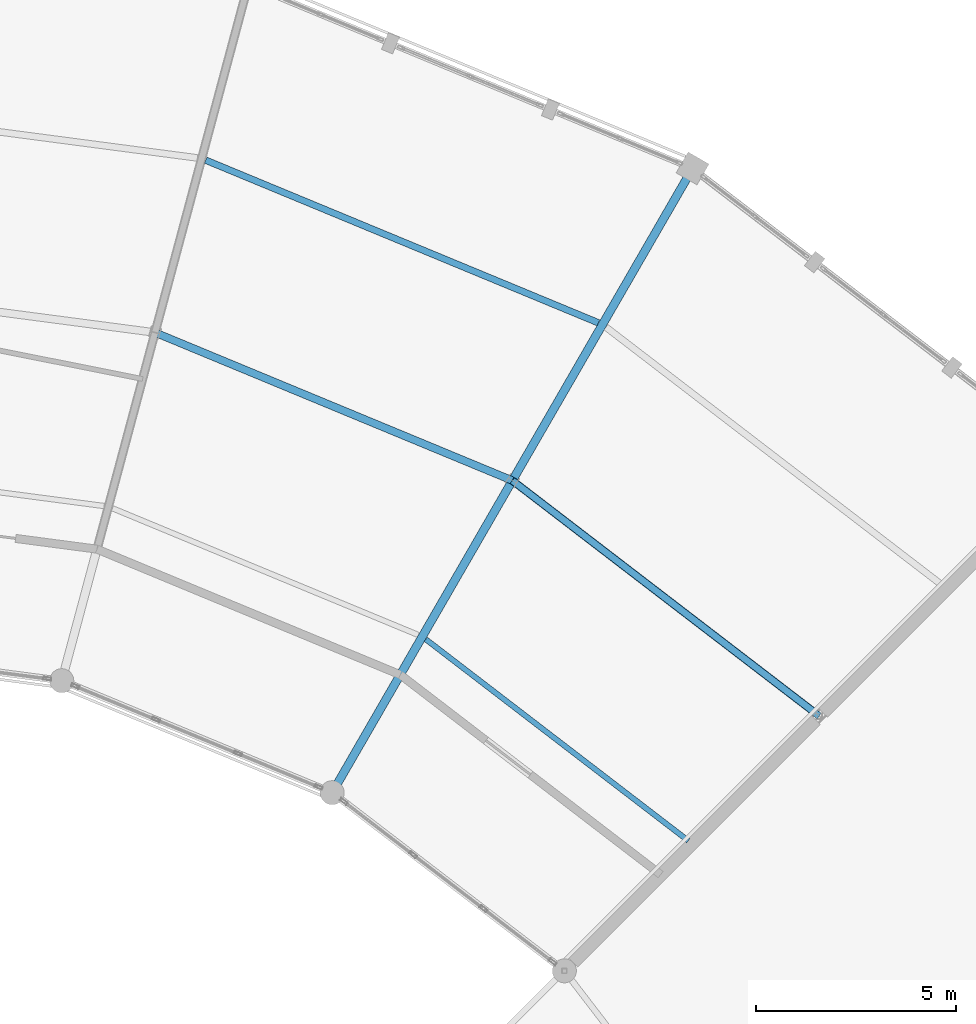
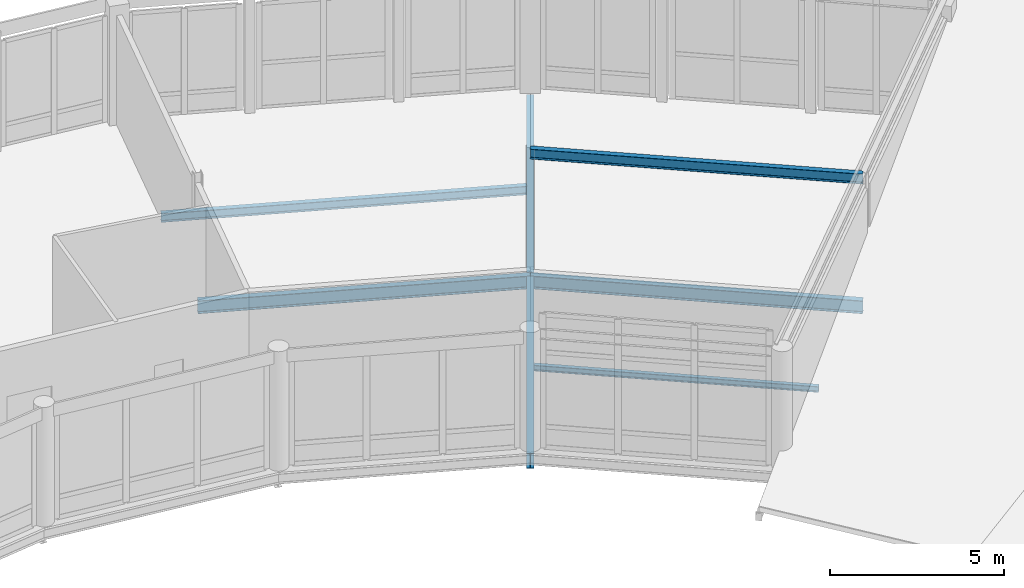
# One storey, part 100 of 200: 7 beams.
"""IFC4 building model written with IfcOpenShell, lengths in metres."""

from ifc_helpers import new_model, si_unit, direction, frame, origin, origin_2d, place, context, subcontext, project, spatial, i_section, extrude, material, material_profile, profile_set, type_object, element, save


model = new_model("IFC4")

# Units and contexts
model_context = context("Model", 3, precision=1e-05, world=origin(), true_north=direction((0.0, 1.0)))
body_context = subcontext(model_context, "Body", "Model", "MODEL_VIEW")
ifc_project = project(units=[si_unit("LENGTHUNIT", "METRE"), si_unit("AREAUNIT", "SQUARE_METRE"), si_unit("VOLUMEUNIT", "CUBIC_METRE"), si_unit("PLANEANGLEUNIT", "RADIAN"), si_unit("MASSUNIT", "GRAM", prefix="KILO")], contexts=[model_context])

# Site, building, storey
site_placement = place(None, origin())
site = spatial("IfcSite", under=ifc_project, at=site_placement, CompositionType="ELEMENT")
building_placement = place(site_placement, origin())
building = spatial("IfcBuilding", under=site, at=building_placement, Name="Vondelvale Polytechnic", CompositionType="ELEMENT")
storey_placement = place(building_placement, frame((0.0, 0.0, 13.800048828125)))
storey = spatial("IfcBuildingStorey", under=building, at=storey_placement, Name="L03", CompositionType="ELEMENT", Elevation=13.800048828125)

# Beams
ifc_material = material(Name="Steel 300PLUS (fy = 300 MPa)", Category="steel")
ifc_material_profile_1 = material_profile(ifc_material, i_section(OverallWidth=0.1708984375, OverallDepth=0.35205078125, WebThickness=0.0068359375, FlangeThickness=0.009765625, FilletRadius=0.011474609375, at=origin_2d()), Name="360UB44.7")
ifc_profile_set_1 = profile_set([ifc_material_profile_1], Name="Steel 300PLUS (fy = 300 MPa)")
beam_type_1 = type_object("IfcBeamType", Name="BM-UB360L", PredefinedType="BEAM", material=ifc_profile_set_1)
beam_1_placement = place(storey_placement, frame((128.1630859375, 98.1630859375, 4.02392578125), z_axis=(-0.793363832402, 0.60874775518, 0.0), x_axis=(-0.60874775518, -0.793363832402, 0.0)))
element("IfcBeam", 1, at=beam_1_placement, inside=storey, type_object=beam_type_1, Name="L03 RE B-24", PredefinedType="BEAM", context=body_context, shape_type="SweptSolid", body=[
    extrude(i_section(OverallWidth=0.1708984375, OverallDepth=0.35205078125, WebThickness=0.0068359375, FlangeThickness=0.009765625, FilletRadius=0.011474609375, at=origin_2d()), origin(), (0.0, 0.0, 1.0), 9.658935546875),
])
ifc_material_profile_2 = material_profile(ifc_material, i_section(OverallWidth=0.18994140625, OverallDepth=0.4541015625, WebThickness=0.008544921875, FlangeThickness=0.0126953125, FilletRadius=0.011474609375, at=origin_2d()), Name="460UB67.1")
ifc_profile_set_2 = profile_set([ifc_material_profile_2], Name="Steel 300PLUS (fy = 300 MPa)")
beam_type_2 = type_object("IfcBeamType", Name="BM-UB460L", PredefinedType="BEAM", material=ifc_profile_set_2)
for number, where, z_axis, x_axis, name in (
    (2, (128.1630859375, 98.1630859375, -0.47705078125), (-0.793363832402, 0.60874775518, 0.0), (-0.60874775518, -0.793363832402, 0.0), "L03 RB B-22"),
    (3, (120.5, 104.04296875, -0.47705078125), (-0.923878816854, 0.38268516011, 0.0), (-0.38268516011, -0.923878816854, 0.0), "L03 RB B-22"),
):
    element("IfcBeam", number, at=place(storey_placement, frame(where, z_axis=z_axis, x_axis=x_axis)), inside=storey, type_object=beam_type_2, Name=name, PredefinedType="BEAM", context=body_context, shape_type="SweptSolid", body=[
        extrude(i_section(OverallWidth=0.18994140625, OverallDepth=0.4541015625, WebThickness=0.008544921875, FlangeThickness=0.0126953125, FilletRadius=0.011474609375, at=origin_2d()), origin(), (0.0, 0.0, 1.0), 9.658935546875),
    ])
ifc_material_profile_3 = material_profile(ifc_material, i_section(OverallWidth=0.208984375, OverallDepth=0.532958984375, WebThickness=0.01025390625, FlangeThickness=0.015625, FilletRadius=0.013916015625, at=origin_2d()), Name="530UB92.4")
ifc_profile_set_3 = profile_set([ifc_material_profile_3], Name="Steel 300PLUS (fy = 300 MPa)")
beam_type_3 = type_object("IfcBeamType", Name="BM-UB530", PredefinedType="BEAM", material=ifc_profile_set_3)
beam_2_placement = place(storey_placement, frame((120.5, 104.04296875, -0.5166015625), z_axis=(0.5000018851, 0.866024315419, 0.0), x_axis=(-0.866024315419, 0.5000018851, 0.0)))
element("IfcBeam", 4, at=beam_2_placement, inside=storey, type_object=beam_type_3, Name="L03 RG B-11", PredefinedType="BEAM", context=body_context, shape_type="SweptSolid", body=[
    extrude(i_section(OverallWidth=0.208984375, OverallDepth=0.532958984375, WebThickness=0.01025390625, FlangeThickness=0.015625, FilletRadius=0.013916015625, at=origin_2d()), origin(), (0.0, 0.0, 1.0), 9.0),
])
ifc_material_profile_4 = material_profile(ifc_material, i_section(OverallWidth=0.208984375, OverallDepth=0.528076171875, WebThickness=0.009521484375, FlangeThickness=0.01318359375, FilletRadius=0.013916015625, at=origin_2d()), Name="530UB82.0")
ifc_profile_set_4 = profile_set([ifc_material_profile_4], Name="Steel 300PLUS (fy = 300 MPa)")
beam_type_4 = type_object("IfcBeamType", Name="BM-UB530L", PredefinedType="BEAM", material=ifc_profile_set_4)
beam_3_placement = place(storey_placement, frame((116.0, 96.248779296875, -0.51416015625), z_axis=(0.5000018851, 0.866024315419, 0.0), x_axis=(-0.866024315419, 0.5000018851, 0.0)))
element("IfcBeam", 5, at=beam_3_placement, inside=storey, type_object=beam_type_4, Name="L03 RG B-21", PredefinedType="BEAM", context=body_context, shape_type="SweptSolid", body=[
    extrude(i_section(OverallWidth=0.208984375, OverallDepth=0.528076171875, WebThickness=0.009521484375, FlangeThickness=0.01318359375, FilletRadius=0.013916015625, at=origin_2d()), origin(), (0.0, 0.0, 1.0), 9.0),
])
ifc_material_profile_5 = material_profile(ifc_material, i_section(OverallWidth=0.133056640625, OverallDepth=0.202880859375, WebThickness=0.005859375, FlangeThickness=0.0078125, FilletRadius=0.0087890625, at=origin_2d()), Name="200UB25.4")
ifc_profile_set_5 = profile_set([ifc_material_profile_5], Name="Steel 300PLUS (fy = 300 MPa)")
beam_type_5 = type_object("IfcBeamType", Name="JST-UB200", PredefinedType="JOIST", material=ifc_profile_set_5)
beam_4_placement = place(storey_placement, frame((124.893798828125, 95.048095703125, -0.3515625), z_axis=(-0.793361419587, 0.608750899721, 0.0), x_axis=(-0.608750899721, -0.793361419587, 0.0)))
element("IfcBeam", 6, at=beam_4_placement, inside=storey, type_object=beam_type_5, Name="L03 RJ J-09", PredefinedType="JOIST", context=body_context, shape_type="SweptSolid", body=[
    extrude(i_section(OverallWidth=0.133056640625, OverallDepth=0.202880859375, WebThickness=0.005859375, FlangeThickness=0.0078125, FilletRadius=0.0087890625, at=origin_2d()), origin(), (0.0, 0.0, 1.0), 8.26416015625),
])
ifc_material_profile_6 = material_profile(ifc_material, i_section(OverallWidth=0.1650390625, OverallDepth=0.303955078125, WebThickness=0.006103515625, FlangeThickness=0.01025390625, FilletRadius=0.011474609375, at=origin_2d()), Name="310UB40.4")
ifc_profile_set_6 = profile_set([ifc_material_profile_6], Name="Steel 300PLUS (fy = 300 MPa)")
beam_type_6 = type_object("IfcBeamType", Name="JST-UB310", PredefinedType="JOIST", material=ifc_profile_set_6)
beam_5_placement = place(storey_placement, frame((122.6484375, 107.982177734375, -0.402099609375), z_axis=(-0.923886751865, 0.382666002839, 0.0), x_axis=(-0.382666002839, -0.923886751865, 0.0)))
element("IfcBeam", 7, at=beam_5_placement, inside=storey, type_object=beam_type_6, Name="L03 RJ J-05", PredefinedType="JOIST", context=body_context, shape_type="SweptSolid", body=[
    extrude(i_section(OverallWidth=0.1650390625, OverallDepth=0.303955078125, WebThickness=0.006103515625, FlangeThickness=0.01025390625, FilletRadius=0.011474609375, at=origin_2d()), origin(), (0.0, 0.0, 1.0), 10.61376953125),
])

save(model, "model.ifc")
